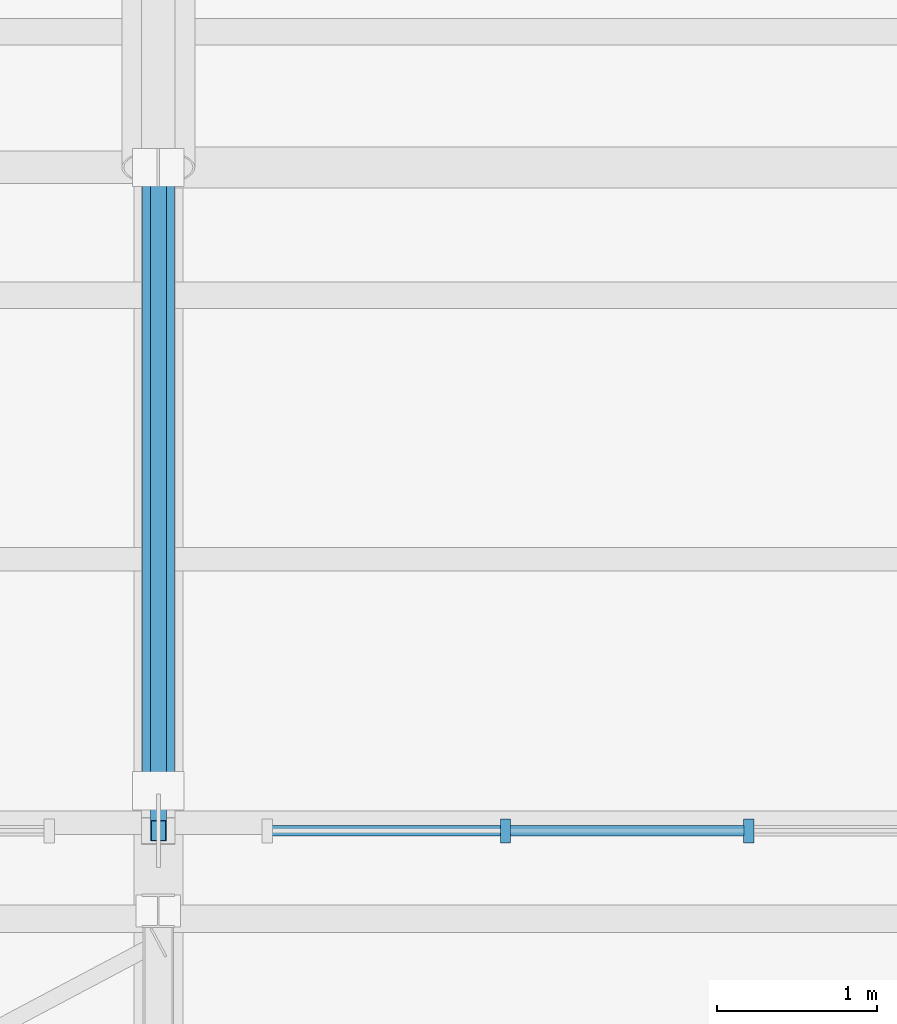
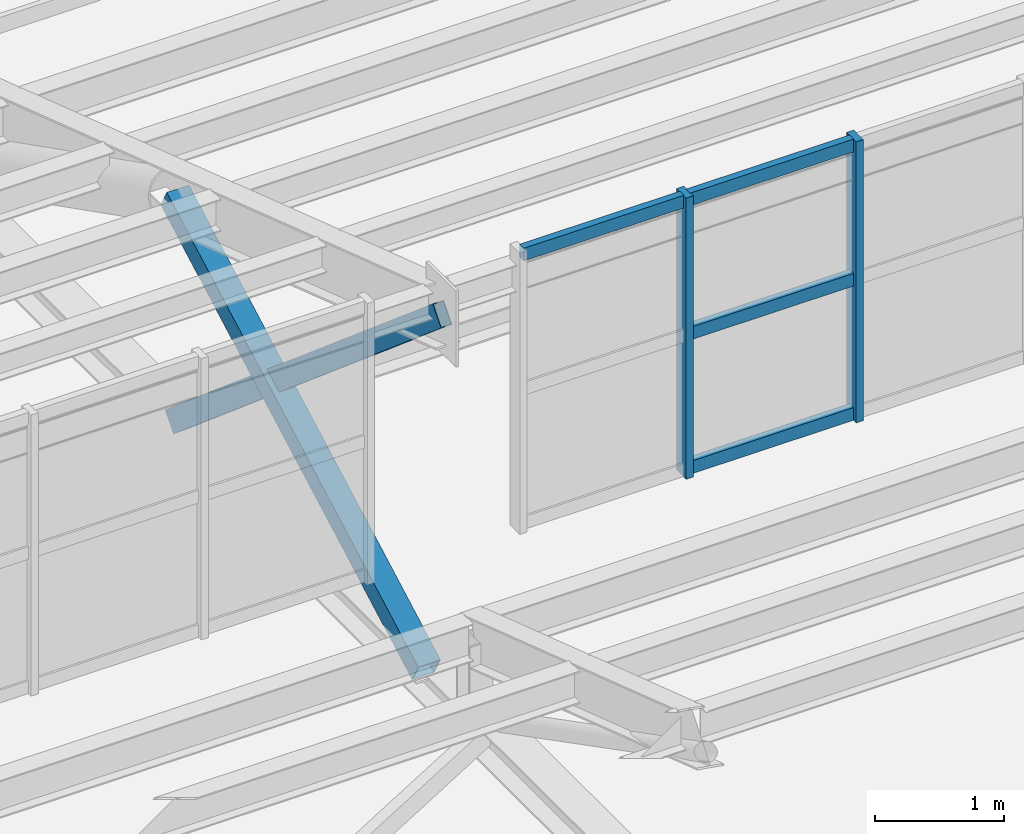
# One storey, part 61 of 285: 8 members, 1 element without a shape of its own.
"""IFC4 building model written with IfcOpenShell, lengths in metres."""

from ifc_helpers import new_model, si_unit, direction, frame, origin, origin_2d, place, context, subcontext, project, spatial, rectangle, hollow_rectangle, extrude, material, material_profile, profile_set, type_object, element, aggregate, save


model = new_model("IFC4")

# Units and contexts
model_context = context("Model", 3, precision=1e-05, world=origin(), true_north=direction((0.0, 1.0)))
body_context = subcontext(model_context, "Body", "Model", "MODEL_VIEW")
ifc_project = project(units=[si_unit("LENGTHUNIT", "METRE"), si_unit("AREAUNIT", "SQUARE_METRE"), si_unit("VOLUMEUNIT", "CUBIC_METRE"), si_unit("PLANEANGLEUNIT", "RADIAN"), si_unit("MASSUNIT", "GRAM", prefix="KILO")], contexts=[model_context])

# Site, building, storey
site_placement = place(None, origin())
site = spatial("IfcSite", under=ifc_project, at=site_placement, CompositionType="ELEMENT")
building_placement = place(site_placement, origin())
building = spatial("IfcBuilding", under=site, at=building_placement, Name="Solanera Park Tramway Depot", CompositionType="ELEMENT")
storey_placement = place(building_placement, origin())
storey = spatial("IfcBuildingStorey", under=building, at=storey_placement, Name="L00", CompositionType="ELEMENT", Elevation=0.0)

# Curtain wall, members
ifc_material_1 = material(Name="Bronze-anodised thermally broken aluminium curtain wall", Category="aluminium")
curtain_wall_type = type_object("IfcCurtainWallType", Name="Sawtooth Clerestory Monitor Curtain Wall", PredefinedType="NOTDEFINED", material=ifc_material_1)
curtain_wall_placement = place(storey_placement, origin())
curtain_wall = element("IfcCurtainWall", 1, at=curtain_wall_placement, inside=storey, type_object=curtain_wall_type, Name="L00 Sawtooth Clerestory Monitor Curtain Wall #031", PredefinedType="NOTDEFINED")
ifc_material_2 = material(Name="Bronze-anodised structural aluminium 6063-T6", Category="aluminium")
ifc_material_profile_1 = material_profile(ifc_material_2, rectangle(XDim=0.06494140625, YDim=0.14990234375, at=origin_2d()), Name="Curtain Wall Mullion 65x150")
ifc_profile_set_1 = profile_set([ifc_material_profile_1], Name="Bronze-anodised structural aluminium 6063-T6")
member_type_1 = type_object("IfcMemberType", Name="Curtain Wall Mullion 65x150", PredefinedType="MULLION", material=ifc_profile_set_1)
member_1_placement = place(storey_placement, frame((62.172119140625, 91.14990234375, 7.75), z_axis=(0.0, 0.0, 1.0), x_axis=(1.0, 0.0, 0.0)))
member_1 = element("IfcMember", 2, at=member_1_placement, type_object=member_type_1, Name="CW-L00-031 Mullion 2", PredefinedType="MULLION", context=body_context, shape_type="SweptSolid", body=[
    extrude(rectangle(XDim=0.06494140625, YDim=0.14990234375, at=origin_2d()), origin(), (0.0, 0.0, 1.0), 2.6611328125),
])
member_2_placement = place(storey_placement, frame((63.6943359375, 91.14990234375, 7.75), z_axis=(0.0, 0.0, 1.0), x_axis=(1.0, 0.0, 0.0)))
member_2 = element("IfcMember", 3, at=member_2_placement, type_object=member_type_1, Name="CW-L00-031 Mullion 3", PredefinedType="MULLION", context=body_context, shape_type="SweptSolid", body=[
    extrude(rectangle(XDim=0.06494140625, YDim=0.14990234375, at=origin_2d()), origin(), (0.0, 0.0, 1.0), 2.6611328125),
])
ifc_material_3 = material(Name="Bronze-anodised structural aluminium 6063-T6", Category="aluminium")
ifc_material_profile_2 = material_profile(ifc_material_3, rectangle(XDim=0.06494140625, YDim=0.1201171875, at=origin_2d()), Name="Curtain Wall Transom 65x120")
ifc_profile_set_2 = profile_set([ifc_material_profile_2], Name="Bronze-anodised structural aluminium 6063-T6")
member_type_2 = type_object("IfcMemberType", Name="Curtain Wall Transom 65x120", PredefinedType="USERDEFINED", material=ifc_profile_set_2)
member_3_placement = place(storey_placement, frame((62.2001953125, 91.14990234375, 7.81005859375), z_axis=(1.0, 0.0, 0.0), x_axis=(0.0, 1.0, 0.0)))
member_3 = element("IfcMember", 4, at=member_3_placement, type_object=member_type_2, Name="CW-L00-031 Transom R1.C2", ObjectType="TRANSOM", PredefinedType="USERDEFINED", context=body_context, shape_type="SweptSolid", body=[
    extrude(rectangle(XDim=0.06494140625, YDim=0.1201171875, at=origin_2d()), origin(), (0.0, 0.0, 1.0), 1.46630859375),
])
member_4_placement = place(storey_placement, frame((62.2001953125, 91.14990234375, 9.08056640625), z_axis=(1.0, 0.0, 0.0), x_axis=(0.0, 1.0, 0.0)))
member_4 = element("IfcMember", 5, at=member_4_placement, type_object=member_type_2, Name="CW-L00-031 Transom R2.C2", ObjectType="TRANSOM", PredefinedType="USERDEFINED", context=body_context, shape_type="SweptSolid", body=[
    extrude(rectangle(XDim=0.06494140625, YDim=0.1201171875, at=origin_2d()), origin(), (0.0, 0.0, 1.0), 1.46630859375),
])
member_5_placement = place(storey_placement, frame((60.71044921875, 91.14990234375, 10.351318359375), z_axis=(1.0, 0.0, 0.0), x_axis=(0.0, 1.0, 0.0)))
member_5 = element("IfcMember", 6, at=member_5_placement, type_object=member_type_2, Name="CW-L00-031 Transom R3.C1", ObjectType="TRANSOM", PredefinedType="USERDEFINED", context=body_context, shape_type="SweptSolid", body=[
    extrude(rectangle(XDim=0.06494140625, YDim=0.1201171875, at=origin_2d()), origin(), (0.0, 0.0, 1.0), 1.433837890625),
])
member_6_placement = place(storey_placement, frame((62.2001953125, 91.14990234375, 10.351318359375), z_axis=(1.0, 0.0, 0.0), x_axis=(0.0, 1.0, 0.0)))
member_6 = element("IfcMember", 7, at=member_6_placement, type_object=member_type_2, Name="CW-L00-031 Transom R3.C2", ObjectType="TRANSOM", PredefinedType="USERDEFINED", context=body_context, shape_type="SweptSolid", body=[
    extrude(rectangle(XDim=0.06494140625, YDim=0.1201171875, at=origin_2d()), origin(), (0.0, 0.0, 1.0), 1.46630859375),
])
aggregate(curtain_wall, [member_1, member_2, member_3, member_4, member_5, member_6])

# Members
ifc_material_4 = material(Name="Steel AS/NZS 1163 Grade C350L0", Category="steel")
ifc_material_profile_3 = material_profile(ifc_material_4, hollow_rectangle(XDim=0.199951171875, YDim=0.199951171875, WallThickness=0.008056640625, at=origin_2d()), Name="200x200x8.0 SHS")
ifc_profile_set_3 = profile_set([ifc_material_profile_3], Name="Steel AS/NZS 1163 Grade C350L0")
member_type_3 = type_object("IfcMemberType", Name="Roof Gantry Compression Strut 200x200x8.0 SHS", PredefinedType="STRUT", material=ifc_profile_set_3)
member_7_placement = place(storey_placement, frame((60.0, 91.39990234375, 6.5), z_axis=(0.0, 0.877679219611, 0.479248565425), x_axis=(-1.0, 0.0, 0.0)))
element("IfcMember", 8, at=member_7_placement, inside=storey, type_object=member_type_3, Name="Sawtooth ROOF TRUSS Strut 200x200x8.0 SHS #0193", PredefinedType="STRUT", context=body_context, shape_type="SweptSolid", body=[
    extrude(hollow_rectangle(XDim=0.199951171875, YDim=0.199951171875, WallThickness=0.008056640625, at=origin_2d()), origin(), (0.0, 0.0, 1.0), 4.443603515625),
])
ifc_material_5 = material(Name="Steel AS/NZS 1163 Grade C350L0", Category="steel")
ifc_material_profile_4 = material_profile(ifc_material_5, hollow_rectangle(XDim=0.10009765625, YDim=0.199951171875, WallThickness=0.006103515625, at=origin_2d()), Name="200x100x6.0 RHS")
ifc_profile_set_4 = profile_set([ifc_material_profile_4], Name="Steel AS/NZS 1163 Grade C350L0")
member_type_4 = type_object("IfcMemberType", Name="Truss and Frame Brace 200x100x6.0 RHS", PredefinedType="BRACE", material=ifc_profile_set_4)
member_8_placement = place(storey_placement, frame((60.0, 95.300048828125, 6.5), z_axis=(0.0, -0.762783427217, 0.646654036686), x_axis=(1.0, 0.0, 0.0)))
element("IfcMember", 9, at=member_8_placement, inside=storey, type_object=member_type_4, Name="Sawtooth ROOF TRUSS Web Brace 200x100x6.0 RHS #0191", PredefinedType="BRACE", context=body_context, shape_type="SweptSolid", body=[
    extrude(hollow_rectangle(XDim=0.10009765625, YDim=0.199951171875, WallThickness=0.006103515625, at=origin_2d()), origin(), (0.0, 0.0, 1.0), 5.440673828125),
])

save(model, "model.ifc")
